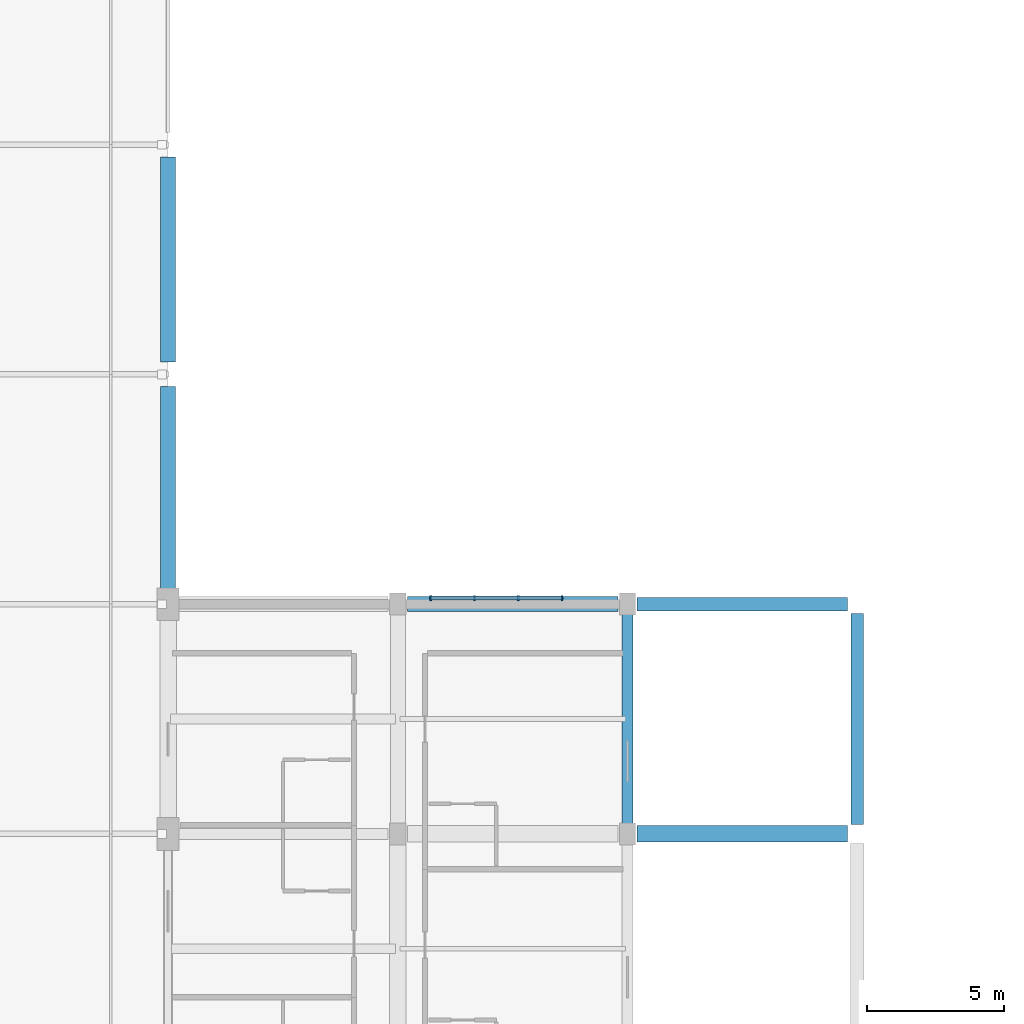
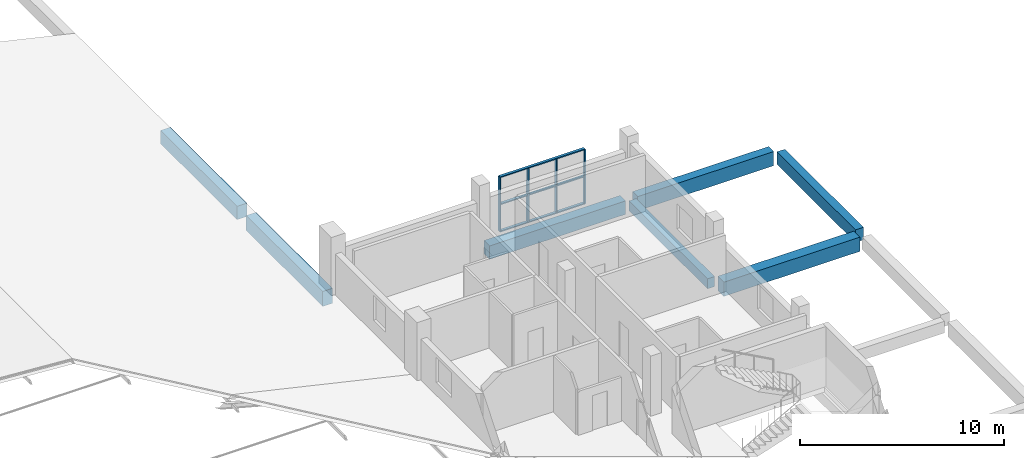
# One storey, part 7 of 42: 7 beams, 7 members, 1 element without a shape of its own.
"""IFC4 building model written with IfcOpenShell, lengths in metres."""

from ifc_helpers import new_model, si_unit, derived_unit, direction, frame, origin, origin_2d, place, context, subcontext, project, spatial, rectangle, extrude, material, material_profile, profile_set, type_object, element, aggregate, save


model = new_model("IFC4")

# Units and contexts
model_context = context("Model", 3, precision=1e-05, world=origin(), true_north=direction((0.0, 1.0)))
body_context = subcontext(model_context, "Body", "Model", "MODEL_VIEW")
ifc_project = project(units=[si_unit("LENGTHUNIT", "METRE"), si_unit("AREAUNIT", "SQUARE_METRE"), si_unit("VOLUMEUNIT", "CUBIC_METRE"), si_unit("PLANEANGLEUNIT", "RADIAN"), si_unit("MASSUNIT", "GRAM", prefix="KILO"), derived_unit("THERMALTRANSMITTANCEUNIT", [(si_unit("POWERUNIT", "WATT"), 1), (si_unit("LENGTHUNIT", "METRE"), -2), (si_unit("THERMODYNAMICTEMPERATUREUNIT", "KELVIN"), -1)])], contexts=[model_context])

# Site, building, storey
site_placement = place(None, origin())
site = spatial("IfcSite", under=ifc_project, at=site_placement, CompositionType="ELEMENT")
building_placement = place(site_placement, origin())
building = spatial("IfcBuilding", under=site, at=building_placement, Name="Barrovel Congress Hotel", CompositionType="ELEMENT")
storey_placement = place(building_placement, frame((0.0, 0.0, 18.300048828125)))
storey = spatial("IfcBuildingStorey", under=building, at=storey_placement, Name="L04", CompositionType="ELEMENT", Elevation=18.300048828125)

# Beams
ifc_material_1 = material(Name="Concrete C40", Category="concrete")
ifc_material_profile_1 = material_profile(ifc_material_1, rectangle(XDim=0.39990234375, YDim=0.60009765625, at=origin_2d()), Name="RC400x600")
ifc_profile_set_1 = profile_set([ifc_material_profile_1], Name="Concrete C40")
beam_type_1 = type_object("IfcBeamType", Name="BM-RC400x600", PredefinedType="BEAM", material=ifc_profile_set_1)
beam_1_placement = place(storey_placement, frame((50.39990234375, 71.75, -0.60009765625), z_axis=(0.0, 1.0, 0.0), x_axis=(-1.0, 0.0, 0.0)))
element("IfcBeam", 1, at=beam_1_placement, inside=storey, type_object=beam_type_1, Name="BMY:L04:50.4:71.4-79.8", PredefinedType="BEAM", context=body_context, shape_type="SweptSolid", body=[
    extrude(rectangle(XDim=0.39990234375, YDim=0.60009765625, at=origin_2d()), origin(), (0.0, 0.0, 1.0), 7.699951171875),
])
ifc_material_profile_2 = material_profile(ifc_material_1, rectangle(XDim=0.449951171875, YDim=0.75, at=origin_2d()), Name="RC450x750")
ifc_profile_set_2 = profile_set([ifc_material_profile_2], Name="Concrete C40")
beam_type_2 = type_object("IfcBeamType", Name="BM-RC450x750", PredefinedType="BEAM", material=ifc_profile_set_2)
beam_2_placement = place(storey_placement, frame((58.800048828125, 71.75, -0.675048828125), z_axis=(0.0, 1.0, 0.0), x_axis=(-1.0, 0.0, 0.0)))
element("IfcBeam", 2, at=beam_2_placement, inside=storey, type_object=beam_type_2, Name="BMY:L04:58.8:71.4-79.8", PredefinedType="BEAM", context=body_context, shape_type="SweptSolid", body=[
    extrude(rectangle(XDim=0.449951171875, YDim=0.75, at=origin_2d()), origin(), (0.0, 0.0, 1.0), 7.699951171875),
])
ifc_material_profile_3 = material_profile(ifc_material_1, rectangle(XDim=0.5, YDim=0.85009765625, at=origin_2d()), Name="RC500x850")
ifc_profile_set_3 = profile_set([ifc_material_profile_3], Name="Concrete C40")
beam_type_3 = type_object("IfcBeamType", Name="BM-RC500x850", PredefinedType="BEAM", material=ifc_profile_set_3)
beam_3_placement = place(storey_placement, frame((50.75, 79.800048828125, -0.72509765625), z_axis=(1.0, 0.0, 0.0), x_axis=(0.0, 1.0, 0.0)))
element("IfcBeam", 3, at=beam_3_placement, inside=storey, type_object=beam_type_3, Name="BMX:L04:79.8:50.4-58.8", PredefinedType="BEAM", context=body_context, shape_type="SweptSolid", body=[
    extrude(rectangle(XDim=0.5, YDim=0.85009765625, at=origin_2d()), origin(), (0.0, 0.0, 1.0), 7.699951171875),
])
ifc_material_profile_4 = material_profile(ifc_material_1, rectangle(XDim=0.550048828125, YDim=0.800048828125, at=origin_2d()), Name="RC550x800")
ifc_profile_set_4 = profile_set([ifc_material_profile_4], Name="Concrete C40")
beam_type_4 = type_object("IfcBeamType", Name="BM-RC550x800", PredefinedType="BEAM", material=ifc_profile_set_4)
beam_4_placement = place(storey_placement, frame((42.35009765625, 79.800048828125, -0.699951171875), z_axis=(1.0, 0.0, 0.0), x_axis=(0.0, 1.0, 0.0)))
element("IfcBeam", 4, at=beam_4_placement, inside=storey, type_object=beam_type_4, Name="BMX:L04:79.8:42.0-50.4", PredefinedType="BEAM", context=body_context, shape_type="SweptSolid", body=[
    extrude(rectangle(XDim=0.550048828125, YDim=0.800048828125, at=origin_2d()), origin(), (0.0, 0.0, 1.0), 7.699951171875),
])
beam_5_placement = place(storey_placement, frame((33.60009765625, 88.64990234375, -0.699951171875), z_axis=(0.0, 1.0, 0.0), x_axis=(-1.0, 0.0, 0.0)))
element("IfcBeam", 5, at=beam_5_placement, inside=storey, type_object=beam_type_4, Name="BMY:L04:33.6:88.2-96.6", PredefinedType="BEAM", context=body_context, shape_type="SweptSolid", body=[
    extrude(rectangle(XDim=0.550048828125, YDim=0.800048828125, at=origin_2d()), origin(), (0.0, 0.0, 1.0), 7.5),
])
ifc_material_profile_5 = material_profile(ifc_material_1, rectangle(XDim=0.550048828125, YDim=0.89990234375, at=origin_2d()), Name="RC550x900")
ifc_profile_set_5 = profile_set([ifc_material_profile_5], Name="Concrete C40")
beam_type_5 = type_object("IfcBeamType", Name="BM-RC550x900", PredefinedType="BEAM", material=ifc_profile_set_5)
beam_6_placement = place(storey_placement, frame((33.60009765625, 80.25, -0.75), z_axis=(0.0, 1.0, 0.0), x_axis=(-1.0, 0.0, 0.0)))
element("IfcBeam", 6, at=beam_6_placement, inside=storey, type_object=beam_type_5, Name="BMY:L04:33.6:79.8-88.2", PredefinedType="BEAM", context=body_context, shape_type="SweptSolid", body=[
    extrude(rectangle(XDim=0.550048828125, YDim=0.89990234375, at=origin_2d()), origin(), (0.0, 0.0, 1.0), 7.5),
])
ifc_material_profile_6 = material_profile(ifc_material_1, rectangle(XDim=0.60009765625, YDim=0.85009765625, at=origin_2d()), Name="RC600x850")
ifc_profile_set_6 = profile_set([ifc_material_profile_6], Name="Concrete C40")
beam_type_6 = type_object("IfcBeamType", Name="BM-RC600x850", PredefinedType="BEAM", material=ifc_profile_set_6)
beam_7_placement = place(storey_placement, frame((50.75, 71.39990234375, -0.72509765625), z_axis=(1.0, 0.0, 0.0), x_axis=(0.0, 1.0, 0.0)))
element("IfcBeam", 7, at=beam_7_placement, inside=storey, type_object=beam_type_6, Name="BMX:L04:71.4:50.4-58.8", PredefinedType="BEAM", context=body_context, shape_type="SweptSolid", body=[
    extrude(rectangle(XDim=0.60009765625, YDim=0.85009765625, at=origin_2d()), origin(), (0.0, 0.0, 1.0), 7.699951171875),
])

# Curtain wall, members
ifc_material_2 = material(Name="Anodised Aluminium Alloy 6063-T6", Category="aluminium")
curtain_wall_type = type_object("IfcCurtainWallType", Name="CW-UN-4800x3200", PredefinedType="USERDEFINED", material=ifc_material_2)
curtain_wall_placement = place(storey_placement, origin())
curtain_wall = element("IfcCurtainWall", 8, at=curtain_wall_placement, inside=storey, type_object=curtain_wall_type, Name="CW:L04:UN-2", ObjectType="UNITISED CURTAIN WALL", PredefinedType="USERDEFINED")
ifc_material_profile_7 = material_profile(ifc_material_2, rectangle(XDim=0.06494140625, YDim=0.18994140625, at=origin_2d()), Name="AL-M65x190")
ifc_profile_set_7 = profile_set([ifc_material_profile_7], Name="Anodised Aluminium Alloy 6063-T6")
member_type_1 = type_object("IfcMemberType", Name="CWM-AL-M65x190", PredefinedType="MULLION", material=ifc_profile_set_7)
member_1_placement = place(storey_placement, frame((43.199951171875, 80.02001953125, 0.0), z_axis=(0.0, 0.0, 1.0), x_axis=(1.0, 0.0, 0.0)))
member_1 = element("IfcMember", 9, at=member_1_placement, type_object=member_type_1, Name="CW:L04:UN-2:M0", PredefinedType="MULLION", context=body_context, shape_type="SweptSolid", body=[
    extrude(rectangle(XDim=0.06494140625, YDim=0.18994140625, at=origin_2d()), origin(), (0.0, 0.0, 1.0), 3.25),
])
member_2_placement = place(storey_placement, frame((44.800048828125, 80.02001953125, 0.0), z_axis=(0.0, 0.0, 1.0), x_axis=(1.0, 0.0, 0.0)))
member_2 = element("IfcMember", 10, at=member_2_placement, type_object=member_type_1, Name="CW:L04:UN-2:M1", PredefinedType="MULLION", context=body_context, shape_type="SweptSolid", body=[
    extrude(rectangle(XDim=0.06494140625, YDim=0.18994140625, at=origin_2d()), origin(), (0.0, 0.0, 1.0), 3.25),
])
member_3_placement = place(storey_placement, frame((46.39990234375, 80.02001953125, 0.0), z_axis=(0.0, 0.0, 1.0), x_axis=(1.0, 0.0, 0.0)))
member_3 = element("IfcMember", 11, at=member_3_placement, type_object=member_type_1, Name="CW:L04:UN-2:M2", PredefinedType="MULLION", context=body_context, shape_type="SweptSolid", body=[
    extrude(rectangle(XDim=0.06494140625, YDim=0.18994140625, at=origin_2d()), origin(), (0.0, 0.0, 1.0), 3.25),
])
member_4_placement = place(storey_placement, frame((48.0, 80.02001953125, 0.0), z_axis=(0.0, 0.0, 1.0), x_axis=(1.0, 0.0, 0.0)))
member_4 = element("IfcMember", 12, at=member_4_placement, type_object=member_type_1, Name="CW:L04:UN-2:M3", PredefinedType="MULLION", context=body_context, shape_type="SweptSolid", body=[
    extrude(rectangle(XDim=0.06494140625, YDim=0.18994140625, at=origin_2d()), origin(), (0.0, 0.0, 1.0), 3.25),
])
ifc_material_profile_8 = material_profile(ifc_material_2, rectangle(XDim=0.14990234375, YDim=0.06494140625, at=origin_2d()), Name="AL-T65x150")
ifc_profile_set_8 = profile_set([ifc_material_profile_8], Name="Anodised Aluminium Alloy 6063-T6")
member_type_2 = type_object("IfcMemberType", Name="CWT-AL-T65x150", PredefinedType="USERDEFINED", material=ifc_profile_set_8)
member_5_placement = place(storey_placement, frame((43.199951171875, 80.02001953125, 0.0), z_axis=(1.0, 0.0, 0.0), x_axis=(0.0, 1.0, 0.0)))
member_5 = element("IfcMember", 13, at=member_5_placement, type_object=member_type_2, Name="CW:L04:UN-2:T0", ObjectType="TRANSOM", PredefinedType="USERDEFINED", context=body_context, shape_type="SweptSolid", body=[
    extrude(rectangle(XDim=0.14990234375, YDim=0.06494140625, at=origin_2d()), origin(), (0.0, 0.0, 1.0), 4.800048828125),
])
member_6_placement = place(storey_placement, frame((43.199951171875, 80.02001953125, 1.625), z_axis=(1.0, 0.0, 0.0), x_axis=(0.0, 1.0, 0.0)))
member_6 = element("IfcMember", 14, at=member_6_placement, type_object=member_type_2, Name="CW:L04:UN-2:T1", ObjectType="TRANSOM", PredefinedType="USERDEFINED", context=body_context, shape_type="SweptSolid", body=[
    extrude(rectangle(XDim=0.14990234375, YDim=0.06494140625, at=origin_2d()), origin(), (0.0, 0.0, 1.0), 4.800048828125),
])
member_7_placement = place(storey_placement, frame((43.199951171875, 80.02001953125, 3.25), z_axis=(1.0, 0.0, 0.0), x_axis=(0.0, 1.0, 0.0)))
member_7 = element("IfcMember", 15, at=member_7_placement, type_object=member_type_2, Name="CW:L04:UN-2:T2", ObjectType="TRANSOM", PredefinedType="USERDEFINED", context=body_context, shape_type="SweptSolid", body=[
    extrude(rectangle(XDim=0.14990234375, YDim=0.06494140625, at=origin_2d()), origin(), (0.0, 0.0, 1.0), 4.800048828125),
])
aggregate(curtain_wall, [member_1, member_2, member_3, member_4, member_5, member_6, member_7])

save(model, "model.ifc")
